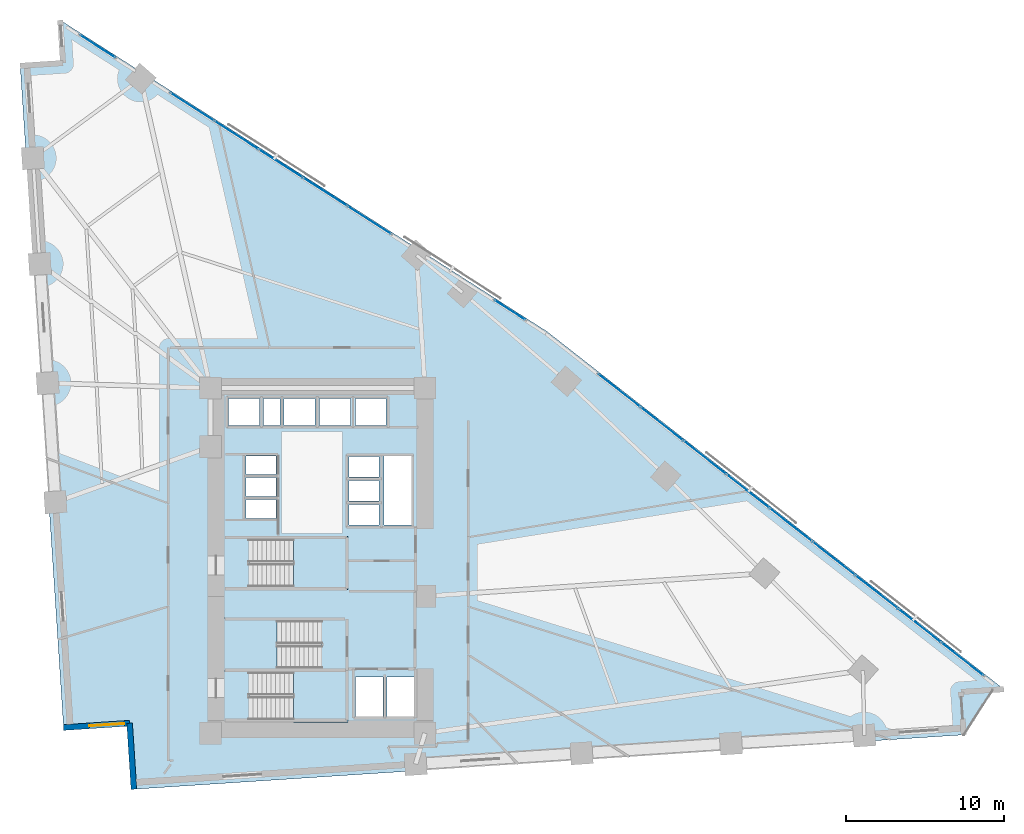
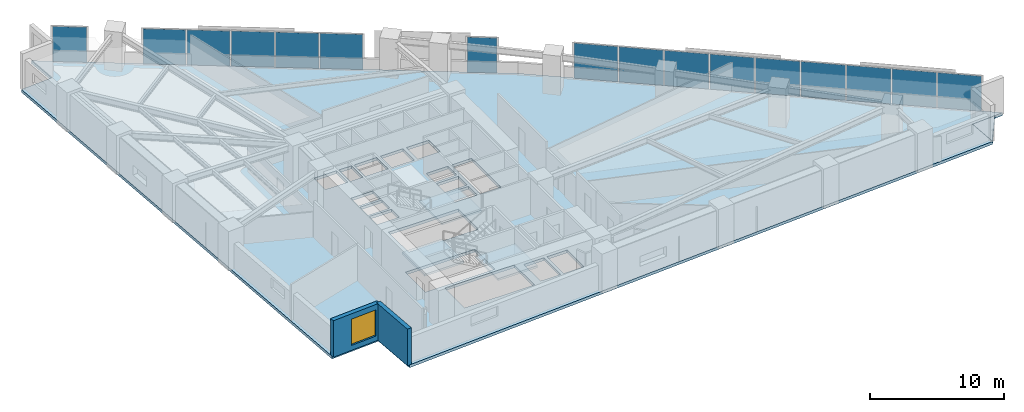
# One storey, part 10 of 15: 16 plates, 5 slabs, 2 walls, 1 window, 1 opening, 7 elements without a shape of their own.
"""IFC4 building model written with IfcOpenShell, lengths in metres."""

from ifc_helpers import new_model, si_unit, direction, frame, frame_2d, origin, origin_2d, place, context, subcontext, project, spatial, polyline, rectangle, outline, extrude, material, layer, layer_set, type_object, element, fill, aggregate, save


model = new_model("IFC4")

# Units and contexts
model_context = context("Model", 3, precision=1e-05, world=origin(), true_north=direction((0.0, 1.0)))
body_context = subcontext(model_context, "Body", "Model", "MODEL_VIEW")
ifc_project = project(units=[si_unit("LENGTHUNIT", "METRE"), si_unit("AREAUNIT", "SQUARE_METRE"), si_unit("VOLUMEUNIT", "CUBIC_METRE"), si_unit("PLANEANGLEUNIT", "RADIAN"), si_unit("MASSUNIT", "GRAM", prefix="KILO")], contexts=[model_context])

# Site, building, storey
site_placement = place(None, origin())
site = spatial("IfcSite", under=ifc_project, at=site_placement, CompositionType="ELEMENT")
building_placement = place(site_placement, origin())
building = spatial("IfcBuilding", under=site, at=building_placement, Name="Narakoshi Arena Tower", CompositionType="ELEMENT")
storey_placement = place(building_placement, frame((0.0, 0.0, 70.5)))
storey = spatial("IfcBuildingStorey", under=building, at=storey_placement, Name="L18", CompositionType="ELEMENT", Elevation=70.5)

# Curtain wall, plates
ifc_material_1 = material(Name="Anodised bronze aluminium 6063-T6", Category="aluminium")
curtain_wall_type = type_object("IfcCurtainWallType", Name="CW-HYP-LOW", PredefinedType="NOTDEFINED", material=ifc_material_1)
curtain_wall_1_placement = place(storey_placement, origin())
curtain_wall_1 = element("IfcCurtainWall", 1, at=curtain_wall_1_placement, inside=storey, type_object=curtain_wall_type, Name="L18 Folded Hypotenuse Curtain Wall 1-1", PredefinedType="NOTDEFINED")
ifc_material_2 = material(Name="Bronze-tinted low-E laminated glass", Category="glass")
ifc_layer_1 = layer(ifc_material_2, 0.031982421875)
ifc_layer_set_1 = layer_set([ifc_layer_1], Name="Bronze-tinted low-E laminated glass")
plate_type = type_object("IfcPlateType", Name="PLT-GLZ-32", PredefinedType="CURTAIN_PANEL", material=ifc_layer_set_1)
plate_1_placement = place(storey_placement, frame((119.491455078125, 39.385986328125, 0.06494140625), z_axis=(0.0, 0.0, 1.0), x_axis=(-0.787387607817, 0.616458234641, 0.0)))
plate_1 = element("IfcPlate", 2, at=plate_1_placement, type_object=plate_type, Name="CW-01 panel 1.1", PredefinedType="CURTAIN_PANEL", context=body_context, shape_type="SweptSolid", body=[
    extrude(rectangle(XDim=3.331298828125, YDim=0.031982421875, at=origin_2d()), origin(), (0.0, 0.0, 1.0), 3.2099609375),
])
plate_2_placement = place(storey_placement, frame((116.794677734375, 41.497314453125, 0.06494140625), z_axis=(0.0, 0.0, 1.0), x_axis=(-0.787387607817, 0.616458234641, 0.0)))
plate_2 = element("IfcPlate", 3, at=plate_2_placement, type_object=plate_type, Name="CW-01 panel 2.1", PredefinedType="CURTAIN_PANEL", context=body_context, shape_type="SweptSolid", body=[
    extrude(rectangle(XDim=3.36865234375, YDim=0.031982421875, at=origin_2d()), origin(), (0.0, 0.0, 1.0), 3.2099609375),
])
plate_3_placement = place(storey_placement, frame((114.083251953125, 43.620361328125, 0.06494140625), z_axis=(0.0, 0.0, 1.0), x_axis=(-0.787387607817, 0.616458234641, 0.0)))
plate_3 = element("IfcPlate", 4, at=plate_3_placement, type_object=plate_type, Name="CW-01 panel 3.1", PredefinedType="CURTAIN_PANEL", context=body_context, shape_type="SweptSolid", body=[
    extrude(rectangle(XDim=3.36865234375, YDim=0.031982421875, at=origin_2d()), origin(), (0.0, 0.0, 1.0), 3.2099609375),
])
plate_4_placement = place(storey_placement, frame((111.37158203125, 45.7431640625, 0.06494140625), z_axis=(0.0, 0.0, 1.0), x_axis=(-0.787387607817, 0.616458234641, 0.0)))
plate_4 = element("IfcPlate", 5, at=plate_4_placement, type_object=plate_type, Name="CW-01 panel 4.1", PredefinedType="CURTAIN_PANEL", context=body_context, shape_type="SweptSolid", body=[
    extrude(rectangle(XDim=3.36865234375, YDim=0.031982421875, at=origin_2d()), origin(), (0.0, 0.0, 1.0), 3.2099609375),
])
plate_5_placement = place(storey_placement, frame((108.66015625, 47.8662109375, 0.06494140625), z_axis=(0.0, 0.0, 1.0), x_axis=(-0.787387607817, 0.616458234641, 0.0)))
plate_5 = element("IfcPlate", 6, at=plate_5_placement, type_object=plate_type, Name="CW-01 panel 5.1", PredefinedType="CURTAIN_PANEL", context=body_context, shape_type="SweptSolid", body=[
    extrude(rectangle(XDim=3.36865234375, YDim=0.031982421875, at=origin_2d()), origin(), (0.0, 0.0, 1.0), 3.2099609375),
])
plate_6_placement = place(storey_placement, frame((105.948486328125, 49.989013671875, 0.06494140625), z_axis=(0.0, 0.0, 1.0), x_axis=(-0.787387607817, 0.616458234641, 0.0)))
plate_6 = element("IfcPlate", 7, at=plate_6_placement, type_object=plate_type, Name="CW-01 panel 6.1", PredefinedType="CURTAIN_PANEL", context=body_context, shape_type="SweptSolid", body=[
    extrude(rectangle(XDim=3.36865234375, YDim=0.031982421875, at=origin_2d()), origin(), (0.0, 0.0, 1.0), 3.2099609375),
])
plate_7_placement = place(storey_placement, frame((103.237060546875, 52.11181640625, 0.06494140625), z_axis=(0.0, 0.0, 1.0), x_axis=(-0.787387607817, 0.616458234641, 0.0)))
plate_7 = element("IfcPlate", 8, at=plate_7_placement, type_object=plate_type, Name="CW-01 panel 7.1", PredefinedType="CURTAIN_PANEL", context=body_context, shape_type="SweptSolid", body=[
    extrude(rectangle(XDim=3.36865234375, YDim=0.031982421875, at=origin_2d()), origin(), (0.0, 0.0, 1.0), 3.2099609375),
])
plate_8_placement = place(storey_placement, frame((100.525634765625, 54.23486328125, 0.06494140625), z_axis=(0.0, 0.0, 1.0), x_axis=(-0.787387607817, 0.616458234641, 0.0)))
plate_8 = element("IfcPlate", 9, at=plate_8_placement, type_object=plate_type, Name="CW-01 panel 8.1", PredefinedType="CURTAIN_PANEL", context=body_context, shape_type="SweptSolid", body=[
    extrude(rectangle(XDim=3.36865234375, YDim=0.031982421875, at=origin_2d()), origin(), (0.0, 0.0, 1.0), 3.2099609375),
])
plate_9_placement = place(storey_placement, frame((97.828857421875, 56.34619140625, 0.06494140625), z_axis=(0.0, 0.0, 1.0), x_axis=(-0.787387607817, 0.616458234641, 0.0)))
plate_9 = element("IfcPlate", 10, at=plate_9_placement, type_object=plate_type, Name="CW-01 panel 9.1", PredefinedType="CURTAIN_PANEL", context=body_context, shape_type="SweptSolid", body=[
    extrude(rectangle(XDim=3.331298828125, YDim=0.031982421875, at=origin_2d()), origin(), (0.0, 0.0, 1.0), 3.2099609375),
])
aggregate(curtain_wall_1, [plate_1, plate_2, plate_3, plate_4, plate_5, plate_6, plate_7, plate_8, plate_9])

# Curtain wall, plate
curtain_wall_2_placement = place(storey_placement, origin())
curtain_wall_2 = element("IfcCurtainWall", 11, at=curtain_wall_2_placement, inside=storey, type_object=curtain_wall_type, Name="L18 Folded Hypotenuse Curtain Wall 2-1", PredefinedType="NOTDEFINED")
plate_10_placement = place(storey_placement, frame((90.921142578125, 61.4287109375, 0.06494140625), z_axis=(0.0, 0.0, 1.0), x_axis=(-0.842419407448, 0.538822365864, 0.0)))
plate_10 = element("IfcPlate", 12, at=plate_10_placement, type_object=plate_type, Name="CW-01 panel 1.1", PredefinedType="CURTAIN_PANEL", context=body_context, shape_type="SweptSolid", body=[
    extrude(rectangle(XDim=2.25439453125, YDim=0.031982421875, at=origin_2d()), origin(), (0.0, 0.0, 1.0), 3.2099609375),
])
aggregate(curtain_wall_2, [plate_10])

# Curtain wall, plates
curtain_wall_3_placement = place(storey_placement, origin())
curtain_wall_3 = element("IfcCurtainWall", 13, at=curtain_wall_3_placement, inside=storey, type_object=curtain_wall_type, Name="L18 Folded Hypotenuse Curtain Wall 2-2", PredefinedType="NOTDEFINED")
plate_11_placement = place(storey_placement, frame((82.033447265625, 67.113525390625, 0.06494140625), z_axis=(0.0, 0.0, 1.0), x_axis=(-0.842415100992, 0.538829098714, 0.0)))
plate_11 = element("IfcPlate", 14, at=plate_11_placement, type_object=plate_type, Name="CW-01 panel 1.1", PredefinedType="CURTAIN_PANEL", context=body_context, shape_type="SweptSolid", body=[
    extrude(rectangle(XDim=3.2158203125, YDim=0.031982421875, at=origin_2d()), origin(), (0.0, 0.0, 1.0), 3.2099609375),
])
plate_12_placement = place(storey_placement, frame((79.24560546875, 68.896728515625, 0.06494140625), z_axis=(0.0, 0.0, 1.0), x_axis=(-0.842415100992, 0.538829098714, 0.0)))
plate_12 = element("IfcPlate", 15, at=plate_12_placement, type_object=plate_type, Name="CW-01 panel 2.1", PredefinedType="CURTAIN_PANEL", context=body_context, shape_type="SweptSolid", body=[
    extrude(rectangle(XDim=3.253173828125, YDim=0.031982421875, at=origin_2d()), origin(), (0.0, 0.0, 1.0), 3.2099609375),
])
plate_13_placement = place(storey_placement, frame((76.441650390625, 70.690185546875, 0.06494140625), z_axis=(0.0, 0.0, 1.0), x_axis=(-0.842415100992, 0.538829098714, 0.0)))
plate_13 = element("IfcPlate", 16, at=plate_13_placement, type_object=plate_type, Name="CW-01 panel 3.1", PredefinedType="CURTAIN_PANEL", context=body_context, shape_type="SweptSolid", body=[
    extrude(rectangle(XDim=3.253173828125, YDim=0.031982421875, at=origin_2d()), origin(), (0.0, 0.0, 1.0), 3.2099609375),
])
plate_14_placement = place(storey_placement, frame((73.637939453125, 72.4833984375, 0.06494140625), z_axis=(0.0, 0.0, 1.0), x_axis=(-0.842415100992, 0.538829098714, 0.0)))
plate_14 = element("IfcPlate", 17, at=plate_14_placement, type_object=plate_type, Name="CW-01 panel 4.1", PredefinedType="CURTAIN_PANEL", context=body_context, shape_type="SweptSolid", body=[
    extrude(rectangle(XDim=3.253173828125, YDim=0.031982421875, at=origin_2d()), origin(), (0.0, 0.0, 1.0), 3.2099609375),
])
plate_15_placement = place(storey_placement, frame((70.85009765625, 74.266845703125, 0.06494140625), z_axis=(0.0, 0.0, 1.0), x_axis=(-0.842415100992, 0.538829098714, 0.0)))
plate_15 = element("IfcPlate", 18, at=plate_15_placement, type_object=plate_type, Name="CW-01 panel 5.1", PredefinedType="CURTAIN_PANEL", context=body_context, shape_type="SweptSolid", body=[
    extrude(rectangle(XDim=3.2158203125, YDim=0.031982421875, at=origin_2d()), origin(), (0.0, 0.0, 1.0), 3.2099609375),
])
aggregate(curtain_wall_3, [plate_11, plate_12, plate_13, plate_14, plate_15])

# Curtain wall, plate
curtain_wall_4_placement = place(storey_placement, origin())
curtain_wall_4 = element("IfcCurtainWall", 19, at=curtain_wall_4_placement, inside=storey, type_object=curtain_wall_type, Name="L18 Folded Hypotenuse Curtain Wall 2-3", PredefinedType="NOTDEFINED")
plate_16_placement = place(storey_placement, frame((64.867919921875, 78.093017578125, 0.06494140625), z_axis=(0.0, 0.0, 1.0), x_axis=(-0.842407418791, 0.538841109017, 0.0)))
plate_16 = element("IfcPlate", 20, at=plate_16_placement, type_object=plate_type, Name="CW-01 panel 1.1", PredefinedType="CURTAIN_PANEL", context=body_context, shape_type="SweptSolid", body=[
    extrude(rectangle(XDim=2.60009765625, YDim=0.031982421875, at=origin_2d()), origin(), (0.0, 0.0, 1.0), 3.2099609375),
])
aggregate(curtain_wall_4, [plate_16])

# Stair, slab
ifc_material_3 = material(Name="Concrete C45/55", Category="concrete")
stair_type = type_object("IfcStairType", Name="STR-CORE-360", PredefinedType="TWO_STRAIGHT_RUN_STAIR", material=ifc_material_3)
stair_1_placement = place(storey_placement, origin())
stair_1 = element("IfcStair", 21, at=stair_1_placement, inside=storey, type_object=stair_type, Name="L18 Core Escape Stair ST1", PredefinedType="TWO_STRAIGHT_RUN_STAIR")
ifc_layer_2 = layer(ifc_material_3, 0.18994140625)
ifc_layer_set_2 = layer_set([ifc_layer_2], Name="Concrete C45/55")
slab_type_1 = type_object("IfcSlabType", Name="SLB-LND-190", PredefinedType="LANDING", material=ifc_layer_set_2)
slab_1_placement = place(storey_placement, frame((0.0, 0.0, 1.610107421875)))
slab_1 = element("IfcSlab", 22, at=slab_1_placement, type_object=slab_type_1, Name="ST1 landing 1", PredefinedType="LANDING", context=body_context, shape_type="SweptSolid", body=[
    extrude(outline(polyline([(77.25, 35.3701171875), (80.679931640625, 35.3701171875), (80.679931640625, 38.72998046875), (77.25, 38.72998046875), (77.25, 35.3701171875)])), origin(), (0.0, 0.0, 1.0), 0.18994140625),
])
aggregate(stair_1, [slab_1])

stair_2_placement = place(storey_placement, origin())
stair_2 = element("IfcStair", 23, at=stair_2_placement, inside=storey, type_object=stair_type, Name="L18 Core Escape Stair ST2", PredefinedType="TWO_STRAIGHT_RUN_STAIR")
slab_2_placement = place(storey_placement, frame((0.0, 0.0, 1.610107421875)))
slab_2 = element("IfcSlab", 24, at=slab_2_placement, type_object=slab_type_1, Name="ST2 landing 1", PredefinedType="LANDING", context=body_context, shape_type="SweptSolid", body=[
    extrude(outline(polyline([(72.77001953125, 38.6201171875), (76.199951171875, 38.6201171875), (76.199951171875, 41.97998046875), (72.77001953125, 41.97998046875), (72.77001953125, 38.6201171875)])), origin(), (0.0, 0.0, 1.0), 0.18994140625),
])
aggregate(stair_2, [slab_2])

stair_3_placement = place(storey_placement, origin())
stair_3 = element("IfcStair", 25, at=stair_3_placement, inside=storey, type_object=stair_type, Name="L18 Core Escape Stair ST3", PredefinedType="TWO_STRAIGHT_RUN_STAIR")
slab_3_placement = place(storey_placement, frame((0.0, 0.0, 1.610107421875)))
slab_3 = element("IfcSlab", 26, at=slab_3_placement, type_object=slab_type_1, Name="ST3 landing 1", PredefinedType="LANDING", context=body_context, shape_type="SweptSolid", body=[
    extrude(outline(polyline([(77.25, 43.77001953125), (80.679931640625, 43.77001953125), (80.679931640625, 47.1298828125), (77.25, 47.1298828125), (77.25, 43.77001953125)])), origin(), (0.0, 0.0, 1.0), 0.18994140625),
])
aggregate(stair_3, [slab_3])

# Slabs
ifc_material_4 = material(Name="Concrete C50/60", Category="concrete")
ifc_layer_3 = layer(ifc_material_4, 0.260009765625)
ifc_layer_set_3 = layer_set([ifc_layer_3], Name="Concrete C50/60")
slab_type_2 = type_object("IfcSlabType", Name="SLB-SKY-260", PredefinedType="FLOOR", material=ifc_layer_set_3)
slab_4_placement = place(storey_placement, frame((0.0, 0.0, -0.260009765625)))
element("IfcSlab", 27, at=slab_4_placement, inside=storey, type_object=slab_type_2, Name="L18 Structural Floor Slab", PredefinedType="FLOOR", context=body_context, shape_type="SweptSolid", body=[
    extrude(outline(polyline([(67.160888671875, 31.15869140625), (119.58447265625, 34.594482421875), (119.40673828125, 37.30517578125), (122.1171875, 37.48291015625), (93.26220703125, 60.07373046875), (62.5107421875, 79.743408203125), (62.688232421875, 77.03271484375), (59.977783203125, 76.85498046875), (62.717529296875, 35.055419921875), (66.887451171875, 35.32861328125), (67.160888671875, 31.15869140625)]), holes=[polyline([(74.47998046875, 35.550048828125), (74.47998046875, 38.550048828125), (80.5, 38.550048828125), (80.5, 35.550048828125), (74.47998046875, 35.550048828125)]), polyline([(81.14990234375, 35.75), (81.14990234375, 38.25), (82.89990234375, 38.25), (82.89990234375, 35.75), (81.14990234375, 35.75)]), polyline([(83.14990234375, 35.75), (83.14990234375, 38.25), (84.89990234375, 38.25), (84.89990234375, 35.75), (83.14990234375, 35.75)]), polyline([(72.949951171875, 38.800048828125), (72.949951171875, 41.800048828125), (78.969970703125, 41.800048828125), (78.969970703125, 38.800048828125), (72.949951171875, 38.800048828125)]), polyline([(74.47998046875, 43.949951171875), (74.47998046875, 46.949951171875), (80.5, 46.949951171875), (80.5, 43.949951171875), (74.47998046875, 43.949951171875)]), polyline([(82.949951171875, 47.840087890625), (82.949951171875, 52.199951171875), (84.699951171875, 52.199951171875), (84.699951171875, 47.840087890625), (82.949951171875, 47.840087890625)]), polyline([(80.75, 47.85009765625), (80.75, 49.14990234375), (82.64990234375, 49.14990234375), (82.64990234375, 47.85009765625), (80.75, 47.85009765625)]), polyline([(74.25, 48.25), (74.25, 49.449951171875), (76.14990234375, 49.449951171875), (76.14990234375, 48.25), (74.25, 48.25)]), polyline([(80.75, 49.3701171875), (80.75, 50.669921875), (82.64990234375, 50.669921875), (82.64990234375, 49.3701171875), (80.75, 49.3701171875)]), polyline([(74.25, 49.64990234375), (74.25, 50.85009765625), (76.14990234375, 50.85009765625), (76.14990234375, 49.64990234375), (74.25, 49.64990234375)]), polyline([(80.75, 50.889892578125), (80.75, 52.18994140625), (82.64990234375, 52.18994140625), (82.64990234375, 50.889892578125), (80.75, 50.889892578125)]), polyline([(74.25, 51.050048828125), (74.25, 52.2099609375), (76.14990234375, 52.2099609375), (76.14990234375, 51.050048828125), (74.25, 51.050048828125)]), polyline([(73.14990234375, 54.14990234375), (73.14990234375, 55.85009765625), (75.10009765625, 55.85009765625), (75.10009765625, 54.14990234375), (73.14990234375, 54.14990234375)]), polyline([(75.35009765625, 54.14990234375), (75.35009765625, 55.85009765625), (76.39990234375, 55.85009765625), (76.39990234375, 54.14990234375), (75.35009765625, 54.14990234375)]), polyline([(76.64990234375, 54.14990234375), (76.64990234375, 55.85009765625), (78.60009765625, 55.85009765625), (78.60009765625, 54.14990234375), (76.64990234375, 54.14990234375)]), polyline([(78.89990234375, 55.85009765625), (80.85009765625, 55.85009765625), (80.85009765625, 54.14990234375), (78.89990234375, 54.14990234375), (78.89990234375, 55.85009765625)]), polyline([(81.14990234375, 55.85009765625), (83.10009765625, 55.85009765625), (83.10009765625, 54.14990234375), (81.14990234375, 54.14990234375), (81.14990234375, 55.85009765625)])]), origin(), (0.0, 0.0, 1.0), 0.260009765625),
])
ifc_layer_4 = layer(ifc_material_3, 0.239990234375)
ifc_layer_set_4 = layer_set([ifc_layer_4], Name="Concrete C45/55")
slab_type_3 = type_object("IfcSlabType", Name="SLB-TERR-240", PredefinedType="ROOF", material=ifc_layer_set_4)
slab_5_placement = place(storey_placement, frame((0.0, 0.0, -0.239990234375)))
element("IfcSlab", 28, at=slab_5_placement, inside=storey, type_object=slab_type_3, Name="L18 Corner Notch Loggia Balcony Slab", PredefinedType="ROOF", context=body_context, shape_type="SweptSolid", body=[
    extrude(outline(polyline([(121.410888671875, 37.43505859375), (119.408935546875, 37.302978515625), (119.5859375, 34.596923828125), (121.410888671875, 37.43505859375)])), origin(), (0.0, 0.0, 1.0), 0.239990234375),
])

# Wall, opening, window
ifc_material_5 = material(Name="Precast concrete C45/55", Category="concrete")
ifc_layer_5 = layer(ifc_material_5, 0.419921875)
ifc_layer_set_5 = layer_set([ifc_layer_5], Name="Precast concrete C45/55")
wall_type = type_object("IfcWallType", Name="WL-POD-420", PredefinedType="SOLIDWALL", material=ifc_layer_set_5)
wall_1_placement = place(storey_placement, frame((62.717529296875, 35.055419921875, 0.0), z_axis=(0.0, 0.0, 1.0), x_axis=(0.997860761953, 0.065375069826, 0.0)))
wall_1 = element("IfcWall", 29, at=wall_1_placement, inside=storey, type_object=wall_type, Name="L18 Re-Entrant Corner Notch Wall NTA-1", PredefinedType="SOLIDWALL", context=body_context, shape_type="SweptSolid", body=[
    extrude(rectangle(XDim=4.178955078125, YDim=0.360107421875, at=frame_2d((2.08935546875, 0.0))), origin(), (0.0, 0.0, 1.0), 3.340087890625),
])
opening_placement = place(wall_1_placement, frame((1.638916015625, 0.0, 0.449951171875)))
opening = element("IfcOpeningElement", 30, at=opening_placement, cuts=wall_1, Name="Opening WN-07", PredefinedType="OPENING", context=body_context, shape_type="SweptSolid", body=[
    extrude(rectangle(XDim=2.199951171875, YDim=2.39990234375, at=frame_2d((1.10009765625, 1.199951171875))), frame((0.0, 0.18994140625, 0.0), z_axis=(0.0, -1.0, 0.0), x_axis=(1.0, 0.0, 0.0)), (0.0, 0.0, 1.0), 0.380126953125),
])
window_type = type_object("IfcWindowType", Name="WIN-NTC-22x24", PartitioningType="SINGLE_PANEL", PredefinedType="WINDOW", material=ifc_material_2)
window_placement = place(opening_placement, origin())
window = element("IfcWindow", 31, at=window_placement, inside=storey, type_object=window_type, Name="L18 Corner Notch Window NTA", OverallHeight=2.39990234375, OverallWidth=2.199951171875, PartitioningType="SINGLE_PANEL", PredefinedType="WINDOW", context=body_context, shape_type="SweptSolid", body=[
    extrude(rectangle(XDim=2.199951171875, YDim=2.39990234375, at=frame_2d((1.10009765625, 1.199951171875))), frame((0.0, 0.030029296875, 0.0), z_axis=(0.0, -1.0, 0.0), x_axis=(1.0, 0.0, 0.0)), (0.0, 0.0, 1.0), 0.06005859375),
])
fill(opening, window)

# Wall
wall_2_placement = place(storey_placement, frame((66.887451171875, 35.32861328125, 0.0), z_axis=(0.0, 0.0, 1.0), x_axis=(0.065433242561, -0.99785694905, 0.0)))
element("IfcWall", 32, at=wall_2_placement, inside=storey, type_object=wall_type, Name="L18 Re-Entrant Corner Notch Wall NTA-2", PredefinedType="SOLIDWALL", context=body_context, shape_type="SweptSolid", body=[
    extrude(rectangle(XDim=4.178955078125, YDim=0.360107421875, at=frame_2d((2.08935546875, 0.0))), origin(), (0.0, 0.0, 1.0), 3.340087890625),
])

save(model, "model.ifc")
